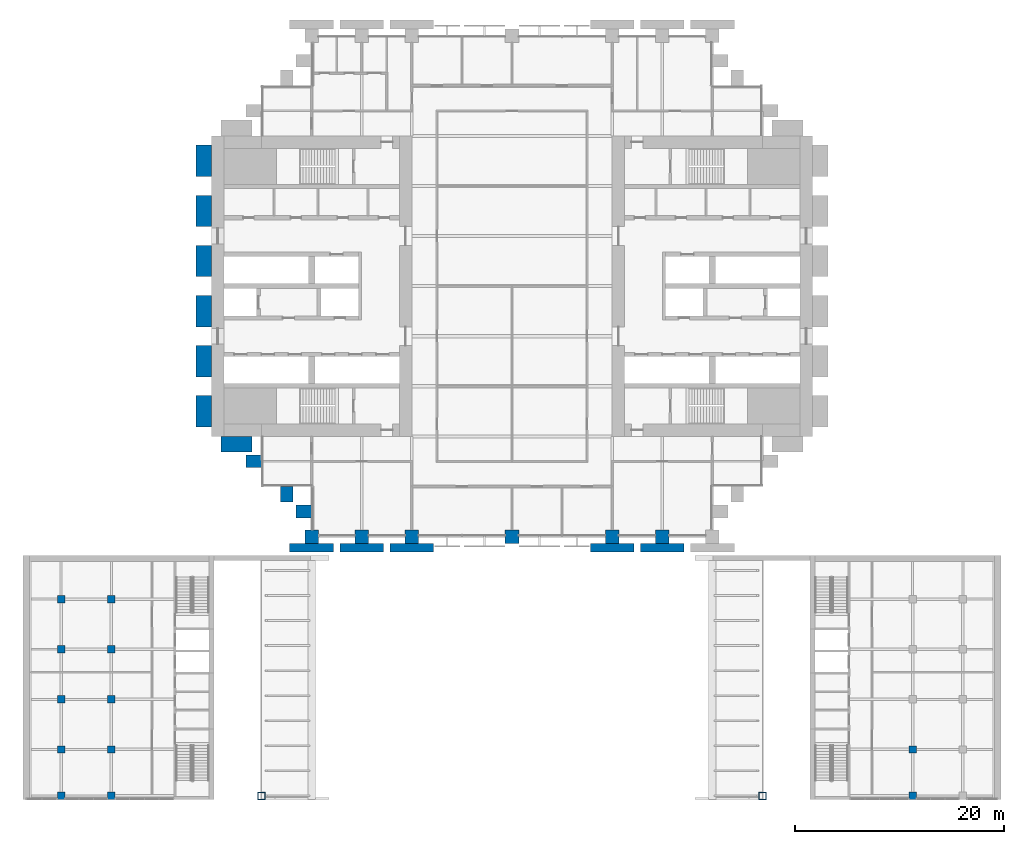
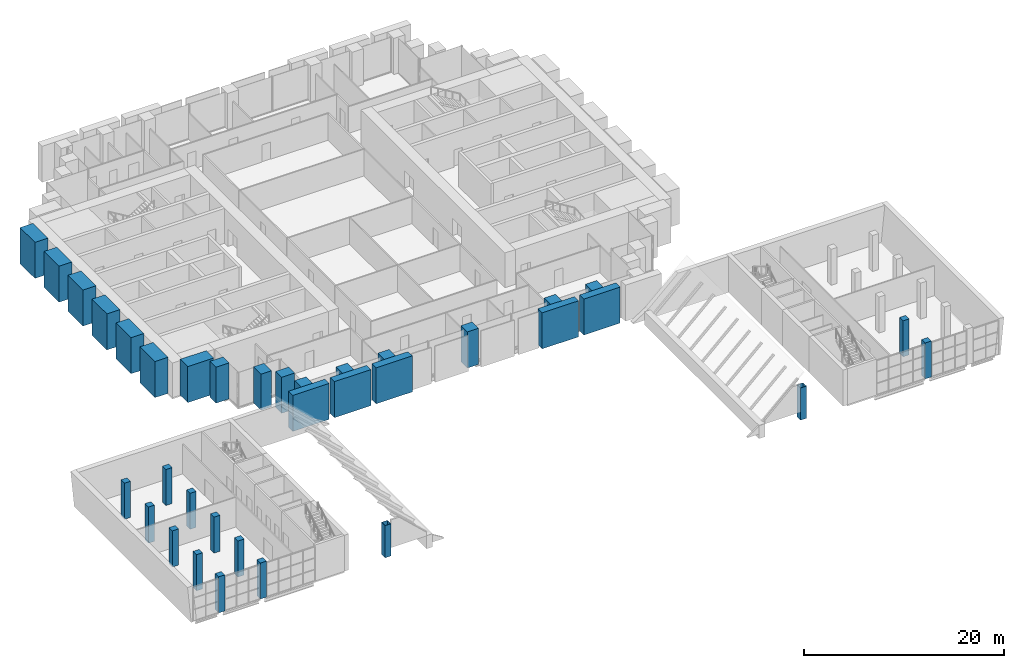
# One storey, part 1 of 30: 35 columns.
"""IFC4 building model written with IfcOpenShell, lengths in metres."""

from ifc_helpers import new_model, si_unit, direction, frame, origin, origin_2d, place, context, subcontext, project, spatial, rectangle, hollow_rectangle, extrude, material, material_profile, profile_set, type_object, element, save


model = new_model("IFC4")

# Units and contexts
model_context = context("Model", 3, precision=1e-05, world=origin(), true_north=direction((0.0, 1.0)))
body_context = subcontext(model_context, "Body", "Model", "MODEL_VIEW")
ifc_project = project(units=[si_unit("LENGTHUNIT", "METRE"), si_unit("AREAUNIT", "SQUARE_METRE"), si_unit("VOLUMEUNIT", "CUBIC_METRE"), si_unit("PLANEANGLEUNIT", "RADIAN"), si_unit("MASSUNIT", "GRAM", prefix="KILO")], contexts=[model_context])

# Site, building, storey
site_placement = place(None, origin())
site = spatial("IfcSite", under=ifc_project, at=site_placement, CompositionType="ELEMENT")
building_placement = place(site_placement, origin())
building = spatial("IfcBuilding", under=site, at=building_placement, Name="Baori Bourse Tower", CompositionType="ELEMENT")
storey_placement = place(building_placement, frame((0.0, 0.0, 17.0)))
storey = spatial("IfcBuildingStorey", under=building, at=storey_placement, Name="L02", CompositionType="ELEMENT", Elevation=17.0)

# Columns
ifc_material_1 = material(Name="Concrete f'c 60 MPa", Category="concrete")
ifc_material_profile_1 = material_profile(ifc_material_1, rectangle(XDim=1.199951171875, YDim=1.5, at=origin_2d()), Name="RC 1200x1500")
ifc_profile_set_1 = profile_set([ifc_material_profile_1], Name="Concrete f'c 60 MPa")
column_type_1 = type_object("IfcColumnType", Name="FN2 Brick pilaster", PredefinedType="PILASTER", material=ifc_profile_set_1)
for number, where, z_axis, x_axis, name in (
    (1, (4.050048828125, 7.199951171875, 0.0), (0.0, 0.0, 1.0), (0.0, 1.0, 0.0), "Brick pilaster L02 7"),
    (2, (7.199951171875, 4.050048828125, 0.0), (0.0, 0.0, 1.0), (1.0, 0.0, 0.0), "Brick pilaster L02 8"),
    (3, (8.85009765625, 2.39990234375, 0.0), (0.0, 0.0, 1.0), (0.0, 1.0, 0.0), "Brick pilaster L02 9"),
):
    element("IfcColumn", number, at=place(storey_placement, frame(where, z_axis=z_axis, x_axis=x_axis)), inside=storey, type_object=column_type_1, Name=name, PredefinedType="PILASTER", context=body_context, shape_type="SweptSolid", body=[
        extrude(rectangle(XDim=1.199951171875, YDim=1.5, at=origin_2d()), origin(), (0.0, 0.0, 1.0), 4.39990234375),
    ])
ifc_material_2 = material(Name="Concrete f'c 60 MPa", Category="concrete")
ifc_material_profile_2 = material_profile(ifc_material_2, rectangle(XDim=4.199951171875, YDim=0.85009765625, at=origin_2d()), Name="RC 4200x850")
ifc_profile_set_2 = profile_set([ifc_material_profile_2], Name="Concrete f'c 60 MPa")
column_type_2 = type_object("IfcColumnType", Name="FN3 Brick pilaster 4200x850", PredefinedType="PILASTER", material=ifc_profile_set_2)
for number, where, z_axis, x_axis, name in (
    (4, (9.60009765625, -1.074951171875, 0.0), (0.0, 0.0, 1.0), (1.0, 0.0, 0.0), "Brick pilaster L02 29"),
    (5, (14.39990234375, -1.074951171875, 0.0), (0.0, 0.0, 1.0), (1.0, 0.0, 0.0), "Brick pilaster L02 30"),
    (6, (19.199951171875, -1.074951171875, 0.0), (0.0, 0.0, 1.0), (1.0, 0.0, 0.0), "Brick pilaster L02 31"),
    (7, (38.39990234375, -1.074951171875, 0.0), (0.0, 0.0, 1.0), (1.0, 0.0, 0.0), "Brick pilaster L02 32"),
    (8, (43.199951171875, -1.074951171875, 0.0), (0.0, 0.0, 1.0), (1.0, 0.0, 0.0), "Brick pilaster L02 33"),
):
    element("IfcColumn", number, at=place(storey_placement, frame(where, z_axis=z_axis, x_axis=x_axis)), inside=storey, type_object=column_type_2, Name=name, PredefinedType="PILASTER", context=body_context, shape_type="SweptSolid", body=[
        extrude(rectangle(XDim=4.199951171875, YDim=0.85009765625, at=origin_2d()), origin(), (0.0, 0.0, 1.0), 4.39990234375),
    ])
ifc_material_3 = material(Name="Concrete f'c 60 MPa", Category="concrete")
ifc_material_profile_3 = material_profile(ifc_material_3, rectangle(XDim=3.0, YDim=1.5, at=origin_2d()), Name="RC 3000x1500")
ifc_profile_set_3 = profile_set([ifc_material_profile_3], Name="Concrete f'c 60 MPa")
column_type_3 = type_object("IfcColumnType", Name="FN4 Brick flank pilaster 3000x1500", PredefinedType="PILASTER", material=ifc_profile_set_3)
for number, where, z_axis, x_axis, name in (
    (9, (-0.75, 12.0, 0.0), (0.0, 0.0, 1.0), (0.0, 1.0, 0.0), "Brick pilaster L02 22"),
    (10, (-0.75, 16.800048828125, 0.0), (0.0, 0.0, 1.0), (0.0, 1.0, 0.0), "Brick pilaster L02 23"),
    (11, (-0.75, 21.60009765625, 0.0), (0.0, 0.0, 1.0), (0.0, 1.0, 0.0), "Brick pilaster L02 24"),
    (12, (-0.75, 26.39990234375, 0.0), (0.0, 0.0, 1.0), (0.0, 1.0, 0.0), "Brick pilaster L02 25"),
    (13, (-0.75, 31.199951171875, 0.0), (0.0, 0.0, 1.0), (0.0, 1.0, 0.0), "Brick pilaster L02 26"),
    (14, (-0.75, 36.0, 0.0), (0.0, 0.0, 1.0), (0.0, 1.0, 0.0), "Brick pilaster L02 27"),
    (15, (2.39990234375, 8.85009765625, 0.0), (0.0, 0.0, 1.0), (1.0, 0.0, 0.0), "Brick pilaster L02 28"),
):
    element("IfcColumn", number, at=place(storey_placement, frame(where, z_axis=z_axis, x_axis=x_axis)), inside=storey, type_object=column_type_3, Name=name, PredefinedType="PILASTER", context=body_context, shape_type="SweptSolid", body=[
        extrude(rectangle(XDim=3.0, YDim=1.5, at=origin_2d()), origin(), (0.0, 0.0, 1.0), 4.39990234375),
    ])
ifc_material_4 = material(Name="Steel A572 Gr 50", Category="steel")
ifc_material_profile_4 = material_profile(ifc_material_4, hollow_rectangle(XDim=0.699951171875, YDim=0.699951171875, WallThickness=0.031982421875, at=origin_2d()), Name="BOX 700x700x32")
ifc_profile_set_4 = profile_set([ifc_material_profile_4], Name="Steel A572 Gr 50")
column_type_4 = type_object("IfcColumnType", Name="Hall box column 700", PredefinedType="COLUMN", material=ifc_profile_set_4)
for number, where, z_axis, x_axis, name in (
    (16, (4.800048828125, -24.85009765625, 0.0), (0.0, 0.0, 1.0), (1.0, 0.0, 0.0), "wing/L02/hallcol/001"),
    (17, (52.800048828125, -24.85009765625, 0.0), (0.0, 0.0, 1.0), (1.0, 0.0, 0.0), "wing/L02/hallcol/002"),
):
    element("IfcColumn", number, at=place(storey_placement, frame(where, z_axis=z_axis, x_axis=x_axis)), inside=storey, type_object=column_type_4, Name=name, PredefinedType="COLUMN", context=body_context, shape_type="SweptSolid", body=[
        extrude(hollow_rectangle(XDim=0.699951171875, YDim=0.699951171875, WallThickness=0.031982421875, at=origin_2d()), origin(), (0.0, 0.0, 1.0), 3.9267578125),
    ])
ifc_material_5 = material(Name="Concrete f'c 70 MPa", Category="concrete")
ifc_material_profile_5 = material_profile(ifc_material_5, rectangle(XDim=1.300048828125, YDim=1.300048828125, at=origin_2d()), Name="RC 1300x1300")
ifc_profile_set_5 = profile_set([ifc_material_profile_5], Name="Concrete f'c 70 MPa")
column_type_5 = type_object("IfcColumnType", Name="Perimeter column RC 1300x1300", PredefinedType="COLUMN", material=ifc_profile_set_5)
for number, where, z_axis, x_axis, name in (
    (18, (9.60009765625, 0.0, 0.0), (0.0, 0.0, 1.0), (1.0, 0.0, 0.0), "Perimeter column L02"),
    (19, (14.39990234375, 0.0, 0.0), (0.0, 0.0, 1.0), (1.0, 0.0, 0.0), "Perimeter column L02"),
    (20, (19.199951171875, 0.0, 0.0), (0.0, 0.0, 1.0), (1.0, 0.0, 0.0), "Perimeter column L02"),
    (21, (28.800048828125, 0.0, 0.0), (0.0, 0.0, 1.0), (1.0, 0.0, 0.0), "Perimeter column L02"),
    (22, (38.39990234375, 0.0, 0.0), (0.0, 0.0, 1.0), (1.0, 0.0, 0.0), "Perimeter column L02"),
    (23, (43.199951171875, 0.0, 0.0), (0.0, 0.0, 1.0), (1.0, 0.0, 0.0), "Perimeter column L02"),
):
    element("IfcColumn", number, at=place(storey_placement, frame(where, z_axis=z_axis, x_axis=x_axis)), inside=storey, type_object=column_type_5, Name=name, PredefinedType="COLUMN", context=body_context, shape_type="SweptSolid", body=[
        extrude(rectangle(XDim=1.300048828125, YDim=1.300048828125, at=origin_2d()), origin(), (0.0, 0.0, 1.0), 4.39990234375),
    ])
ifc_material_6 = material(Name="Concrete f'c 50 MPa", Category="concrete")
ifc_material_profile_6 = material_profile(ifc_material_6, rectangle(XDim=0.699951171875, YDim=0.699951171875, at=origin_2d()), Name="Wing column 700")
ifc_profile_set_6 = profile_set([ifc_material_profile_6], Name="Concrete f'c 50 MPa")
column_type_6 = type_object("IfcColumnType", Name="Wing column 700", PredefinedType="COLUMN", material=ifc_profile_set_6)
for number, where, z_axis, x_axis, name in (
    (24, (-14.39990234375, -24.85009765625, 0.0), (0.0, 0.0, 1.0), (1.0, 0.0, 0.0), "wing/L02/Wcol/001"),
    (25, (-14.39990234375, -20.39990234375, 0.0), (0.0, 0.0, 1.0), (1.0, 0.0, 0.0), "wing/L02/Wcol/002"),
    (26, (-14.39990234375, -15.60009765625, 0.0), (0.0, 0.0, 1.0), (1.0, 0.0, 0.0), "wing/L02/Wcol/003"),
    (27, (-14.39990234375, -10.800048828125, 0.0), (0.0, 0.0, 1.0), (1.0, 0.0, 0.0), "wing/L02/Wcol/004"),
    (28, (-14.39990234375, -6.0, 0.0), (0.0, 0.0, 1.0), (1.0, 0.0, 0.0), "wing/L02/Wcol/005"),
    (29, (-9.60009765625, -24.85009765625, 0.0), (0.0, 0.0, 1.0), (1.0, 0.0, 0.0), "wing/L02/Wcol/006"),
    (30, (-9.60009765625, -20.39990234375, 0.0), (0.0, 0.0, 1.0), (1.0, 0.0, 0.0), "wing/L02/Wcol/007"),
    (31, (-9.60009765625, -15.60009765625, 0.0), (0.0, 0.0, 1.0), (1.0, 0.0, 0.0), "wing/L02/Wcol/008"),
    (32, (-9.60009765625, -10.800048828125, 0.0), (0.0, 0.0, 1.0), (1.0, 0.0, 0.0), "wing/L02/Wcol/009"),
    (33, (-9.60009765625, -6.0, 0.0), (0.0, 0.0, 1.0), (1.0, 0.0, 0.0), "wing/L02/Wcol/010"),
    (34, (67.199951171875, -24.85009765625, 0.0), (0.0, 0.0, 1.0), (1.0, 0.0, 0.0), "wing/L02/Ecol/006"),
    (35, (67.199951171875, -20.39990234375, 0.0), (0.0, 0.0, 1.0), (1.0, 0.0, 0.0), "wing/L02/Ecol/007"),
):
    element("IfcColumn", number, at=place(storey_placement, frame(where, z_axis=z_axis, x_axis=x_axis)), inside=storey, type_object=column_type_6, Name=name, PredefinedType="COLUMN", context=body_context, shape_type="SweptSolid", body=[
        extrude(rectangle(XDim=0.699951171875, YDim=0.699951171875, at=origin_2d()), origin(), (0.0, 0.0, 1.0), 4.39990234375),
    ])

save(model, "model.ifc")
